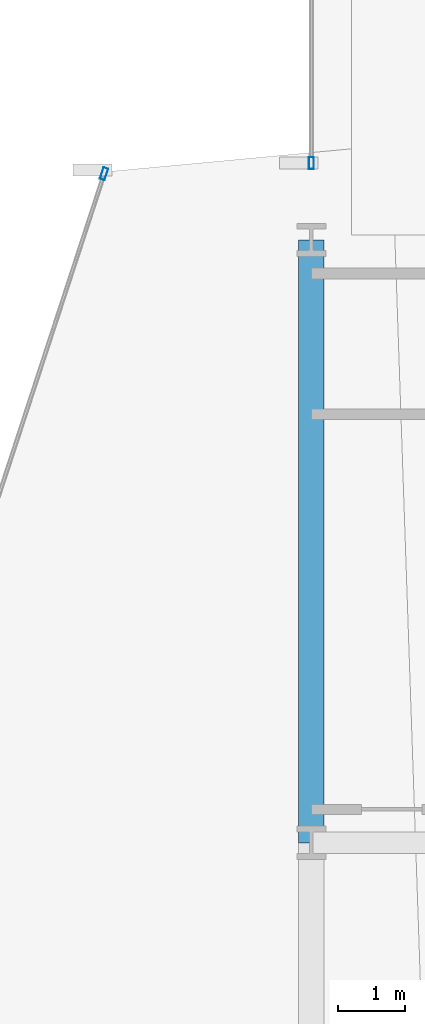
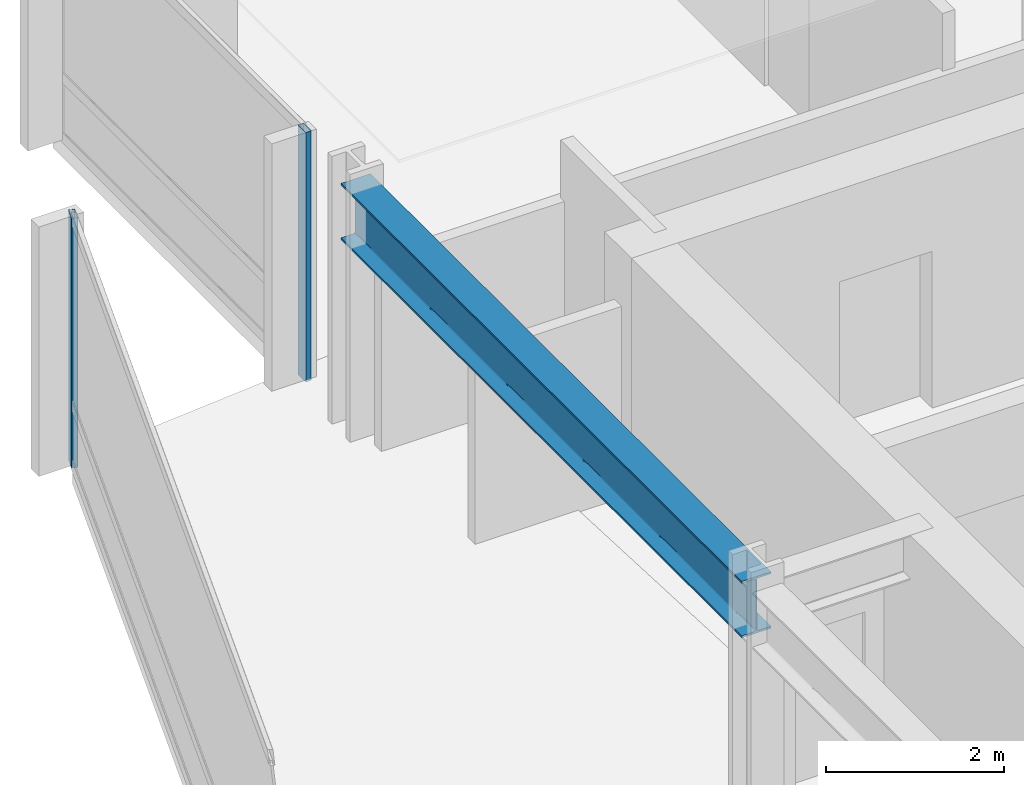
# One storey, part 19 of 34: 2 members, 1 beam, 2 elements without a shape of their own.
"""IFC4 building model written with IfcOpenShell, lengths in metres."""

from ifc_helpers import new_model, si_unit, direction, frame, origin, origin_2d, place, context, subcontext, project, spatial, hollow_rectangle, i_section, extrude, material, layer, layer_set, material_profile, profile_set, type_object, element, aggregate, save


model = new_model("IFC4")

# Units and contexts
model_context = context("Model", 3, precision=1e-05, world=origin(), true_north=direction((0.0, 1.0)))
body_context = subcontext(model_context, "Body", "Model", "MODEL_VIEW")
ifc_project = project(units=[si_unit("LENGTHUNIT", "METRE"), si_unit("AREAUNIT", "SQUARE_METRE"), si_unit("VOLUMEUNIT", "CUBIC_METRE"), si_unit("PLANEANGLEUNIT", "RADIAN"), si_unit("MASSUNIT", "GRAM", prefix="KILO")], contexts=[model_context])

# Site, building, storey
site_placement = place(None, origin())
site = spatial("IfcSite", under=ifc_project, at=site_placement, CompositionType="ELEMENT")
building_placement = place(site_placement, origin())
building = spatial("IfcBuilding", under=site, at=building_placement, Name="Solvaryn Broadcast Tower", CompositionType="ELEMENT")
storey_placement = place(building_placement, frame((0.0, 0.0, 47.10009765625)))
storey = spatial("IfcBuildingStorey", under=building, at=storey_placement, Name="L10", CompositionType="ELEMENT", Elevation=47.10009765625)

# Beam
ifc_material_1 = material(Name="Steel ASTM A992 Grade 50", Category="steel")
ifc_material_profile_1 = material_profile(ifc_material_1, i_section(OverallWidth=0.381103515625, OverallDepth=0.77294921875, WebThickness=0.0166015625, FlangeThickness=0.027099609375, FilletRadius=0.01806640625, at=origin_2d()))
ifc_profile_set_1 = profile_set([ifc_material_profile_1], Name="Steel ASTM A992 Grade 50")
beam_type = type_object("IfcBeamType", Name="BM-SP1-W30X173", PredefinedType="USERDEFINED", material=ifc_profile_set_1)
beam_placement = place(storey_placement, frame((9.0, 36.0, 3.033447265625), z_axis=(0.0, 1.0, 0.0), x_axis=(-1.0, 0.0, 0.0)))
element("IfcBeam", 1, at=beam_placement, inside=storey, type_object=beam_type, Name="L10 Spandrel Beam Y (36-45 @ X=9)", ObjectType="SPANDREL", PredefinedType="USERDEFINED", context=body_context, shape_type="SweptSolid", body=[
    extrude(i_section(OverallWidth=0.381103515625, OverallDepth=0.77294921875, WebThickness=0.0166015625, FlangeThickness=0.027099609375, FilletRadius=0.01806640625, at=origin_2d()), origin(), (0.0, 0.0, 1.0), 9.0),
])

# Curtain wall, member
ifc_material_2 = material(Name="Aluminium and Terracotta Unitised Curtain Wall", Category="masonry")
ifc_layer = layer(ifc_material_2, 0.199951171875)
ifc_layer_set = layer_set([ifc_layer], Name="CW-SYS2-LOWMID")
curtain_wall_type = type_object("IfcCurtainWallType", Name="CW-SYS2-LOWMID", PredefinedType="NOTDEFINED", material=ifc_layer_set)
curtain_wall_1_placement = place(storey_placement, origin())
curtain_wall_1 = element("IfcCurtainWall", 2, at=curtain_wall_1_placement, inside=storey, type_object=curtain_wall_type, Name="L10 Curtain Wall DR1", PredefinedType="NOTDEFINED")
ifc_material_3 = material(Name="Anodised Aluminium 6063-T6", Category="aluminium")
ifc_material_profile_2 = material_profile(ifc_material_3, hollow_rectangle(XDim=0.074951171875, YDim=0.179931640625, WallThickness=0.00390625, InnerFilletRadius=0.00390625, OuterFilletRadius=0.008056640625, at=origin_2d()))
ifc_profile_set_2 = profile_set([ifc_material_profile_2], Name="Anodised Aluminium 6063-T6")
member_type = type_object("IfcMemberType", Name="CW-MUL-180", PredefinedType="MULLION", material=ifc_profile_set_2)
member_1_placement = place(storey_placement, frame((5.90673828125, 45.987548828125, 0.0), z_axis=(0.0, 0.0, 1.0), x_axis=(0.950215318429, -0.311594044587, 0.0)))
member_1 = element("IfcMember", 3, at=member_1_placement, type_object=member_type, Name="CWS2 mullion 1", PredefinedType="MULLION", context=body_context, shape_type="SweptSolid", body=[
    extrude(hollow_rectangle(XDim=0.074951171875, YDim=0.179931640625, WallThickness=0.00390625, InnerFilletRadius=0.00390625, OuterFilletRadius=0.008056640625, at=origin_2d()), origin(), (0.0, 0.0, 1.0), 3.419921875),
])
aggregate(curtain_wall_1, [member_1])

curtain_wall_2_placement = place(storey_placement, origin())
curtain_wall_2 = element("IfcCurtainWall", 4, at=curtain_wall_2_placement, inside=storey, type_object=curtain_wall_type, Name="L10 Curtain Wall W2", PredefinedType="NOTDEFINED")
member_2_placement = place(storey_placement, frame((9.0, 46.14599609375, 0.0), z_axis=(0.0, 0.0, 1.0), x_axis=(-1.0, 0.0, 0.0)))
member_2 = element("IfcMember", 5, at=member_2_placement, type_object=member_type, Name="CWS2 mullion 1", PredefinedType="MULLION", context=body_context, shape_type="SweptSolid", body=[
    extrude(hollow_rectangle(XDim=0.074951171875, YDim=0.179931640625, WallThickness=0.00390625, InnerFilletRadius=0.00390625, OuterFilletRadius=0.008056640625, at=origin_2d()), origin(), (0.0, 0.0, 1.0), 3.419921875),
])
aggregate(curtain_wall_2, [member_2])

save(model, "model.ifc")
